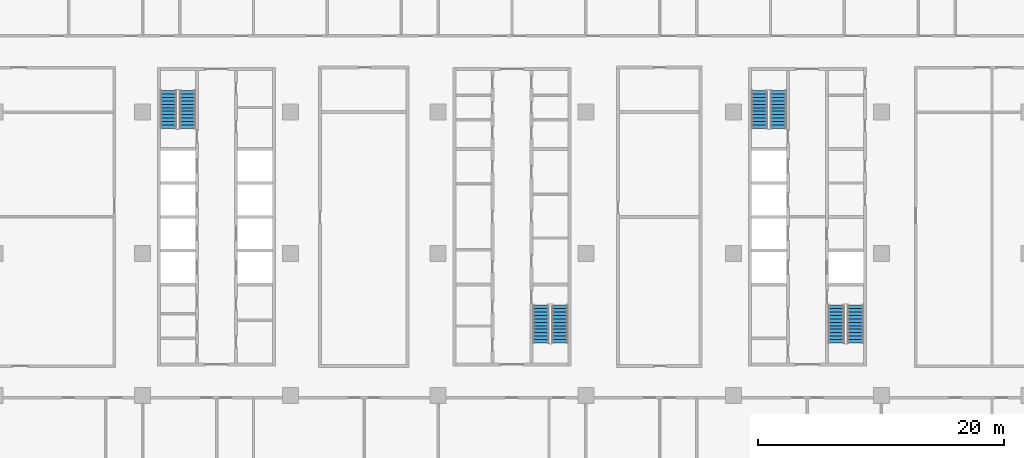
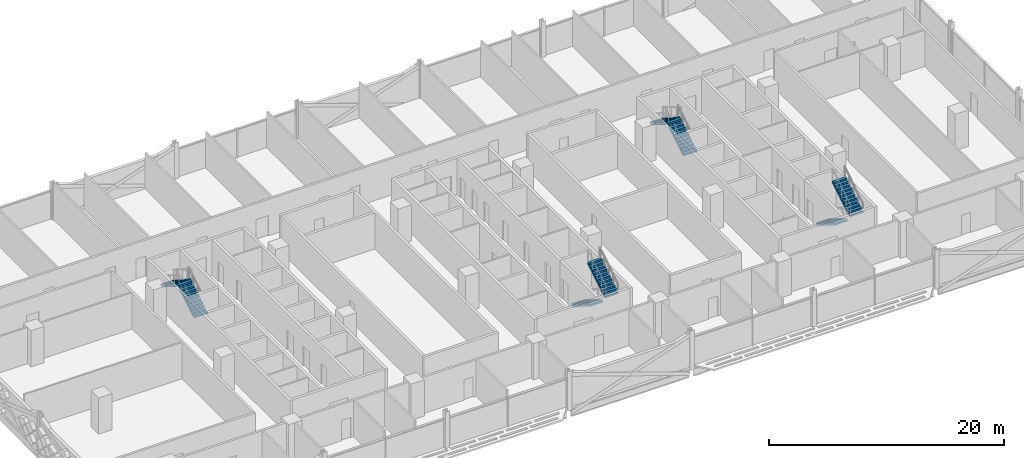
# One storey, part 19 of 29: 8 stair flights, 4 elements without a shape of their own.
"""IFC4 building model written with IfcOpenShell, lengths in metres."""

from ifc_helpers import new_model, si_unit, direction, frame, origin, place, context, subcontext, project, spatial, polyline, outline, extrude, material, type_object, element, aggregate, save


model = new_model("IFC4")

# Units and contexts
model_context = context("Model", 3, precision=1e-05, world=origin(), true_north=direction((0.0, 1.0)))
body_context = subcontext(model_context, "Body", "Model", "MODEL_VIEW")
ifc_project = project(units=[si_unit("LENGTHUNIT", "METRE"), si_unit("AREAUNIT", "SQUARE_METRE"), si_unit("VOLUMEUNIT", "CUBIC_METRE"), si_unit("PLANEANGLEUNIT", "RADIAN"), si_unit("MASSUNIT", "GRAM", prefix="KILO")], contexts=[model_context])

# Site, building, storey
site_placement = place(None, origin())
site = spatial("IfcSite", under=ifc_project, at=site_placement, CompositionType="ELEMENT")
building_placement = place(site_placement, origin())
building = spatial("IfcBuilding", under=site, at=building_placement, Name="Mahtab Terrace Research Tower", CompositionType="ELEMENT")
storey_placement = place(building_placement, frame((0.0, 0.0, 142.5)))
storey = spatial("IfcBuildingStorey", under=building, at=storey_placement, Name="L33", CompositionType="ELEMENT", Elevation=142.5)

# Stair, stair flights
ifc_material_1 = material(Name="Exit stair half-turn")
stair_type = type_object("IfcStairType", Name="Exit stair half-turn", PredefinedType="HALF_TURN_STAIR", material=ifc_material_1)
stair_1_placement = place(storey_placement, origin())
stair_1 = element("IfcStair", 1, at=stair_1_placement, inside=storey, type_object=stair_type, Name="L33 Protected exit stair ST1", PredefinedType="HALF_TURN_STAIR")
ifc_material_2 = material(Name="Concrete C40/50", Category="concrete")
stair_flight_type = type_object("IfcStairFlightType", Name="Exit stair flight 1300", PredefinedType="STRAIGHT", material=ifc_material_2)
stair_flight_1_placement = place(storey_placement, frame((-26.35009765625, 10.175048828125, 0.0), z_axis=(0.0, 0.0, 1.0), x_axis=(0.0, 1.0, 0.0)))
stair_flight_1 = element("IfcStairFlight", 2, at=stair_flight_1_placement, type_object=stair_flight_type, Name="ST1 flight 1", NumberOfRisers=12, NumberOfTreads=11, PredefinedType="STRAIGHT", RiserHeight=0.170833333, TreadLength=0.28, context=body_context, shape_type="SweptSolid", body=[
    extrude(outline(polyline([(0.0, 0.0), (0.0, 0.1708984375), (0.280029296875, 0.1708984375), (0.280029296875, 0.341552734375), (0.56005859375, 0.341552734375), (0.56005859375, 0.512451171875), (0.840087890625, 0.512451171875), (0.840087890625, 0.683349609375), (1.1201171875, 0.683349609375), (1.1201171875, 0.854248046875), (1.39990234375, 0.854248046875), (1.39990234375, 1.02490234375), (1.679931640625, 1.02490234375), (1.679931640625, 1.19580078125), (1.9599609375, 1.19580078125), (1.9599609375, 1.36669921875), (2.239990234375, 1.36669921875), (2.239990234375, 1.53759765625), (2.52001953125, 1.53759765625), (2.52001953125, 1.708251953125), (2.800048828125, 1.708251953125), (2.800048828125, 1.879150390625), (3.080078125, 1.879150390625), (3.080078125, 2.050048828125), (3.080078125, 1.70361328125), (0.287841796875, 0.0), (0.0, 0.0)])), frame((0.0, 0.64990234375, 0.0), z_axis=(0.0, -1.0, 0.0), x_axis=(1.0, 0.0, 0.0)), (0.0, 0.0, 1.0), 1.300048828125),
])
stair_flight_2_placement = place(storey_placement, frame((-27.89990234375, 13.2548828125, 2.050048828125), z_axis=(0.0, 0.0, 1.0), x_axis=(0.0, -1.0, 0.0)))
stair_flight_2 = element("IfcStairFlight", 3, at=stair_flight_2_placement, type_object=stair_flight_type, Name="ST1 flight 2", NumberOfRisers=12, NumberOfTreads=11, PredefinedType="STRAIGHT", RiserHeight=0.170833333, TreadLength=0.28, context=body_context, shape_type="SweptSolid", body=[
    extrude(outline(polyline([(0.0, 0.0), (0.0, 0.1708984375), (0.280029296875, 0.1708984375), (0.280029296875, 0.341552734375), (0.56005859375, 0.341552734375), (0.56005859375, 0.512451171875), (0.840087890625, 0.512451171875), (0.840087890625, 0.683349609375), (1.1201171875, 0.683349609375), (1.1201171875, 0.854248046875), (1.39990234375, 0.854248046875), (1.39990234375, 1.02490234375), (1.679931640625, 1.02490234375), (1.679931640625, 1.19580078125), (1.9599609375, 1.19580078125), (1.9599609375, 1.36669921875), (2.239990234375, 1.36669921875), (2.239990234375, 1.53759765625), (2.52001953125, 1.53759765625), (2.52001953125, 1.708251953125), (2.800048828125, 1.708251953125), (2.800048828125, 1.879150390625), (3.080078125, 1.879150390625), (3.080078125, 2.050048828125), (3.080078125, 1.70361328125), (0.287841796875, 0.0), (0.0, 0.0)])), frame((0.0, 0.64990234375, 0.0), z_axis=(0.0, -1.0, 0.0), x_axis=(1.0, 0.0, 0.0)), (0.0, 0.0, 1.0), 1.300048828125),
])
aggregate(stair_1, [stair_flight_1, stair_flight_2])

stair_2_placement = place(storey_placement, origin())
stair_2 = element("IfcStair", 4, at=stair_2_placement, inside=storey, type_object=stair_type, Name="L33 Protected exit stair ST2", PredefinedType="HALF_TURN_STAIR")
stair_flight_3_placement = place(storey_placement, frame((2.35009765625, -4.175048828125, 0.0), z_axis=(0.0, 0.0, 1.0), x_axis=(0.0, -1.0, 0.0)))
stair_flight_3 = element("IfcStairFlight", 5, at=stair_flight_3_placement, type_object=stair_flight_type, Name="ST2 flight 1", NumberOfRisers=12, NumberOfTreads=11, PredefinedType="STRAIGHT", RiserHeight=0.170833333, TreadLength=0.28, context=body_context, shape_type="SweptSolid", body=[
    extrude(outline(polyline([(0.0, 0.0), (0.0, 0.1708984375), (0.280029296875, 0.1708984375), (0.280029296875, 0.341552734375), (0.56005859375, 0.341552734375), (0.56005859375, 0.512451171875), (0.840087890625, 0.512451171875), (0.840087890625, 0.683349609375), (1.1201171875, 0.683349609375), (1.1201171875, 0.854248046875), (1.39990234375, 0.854248046875), (1.39990234375, 1.02490234375), (1.679931640625, 1.02490234375), (1.679931640625, 1.19580078125), (1.9599609375, 1.19580078125), (1.9599609375, 1.36669921875), (2.239990234375, 1.36669921875), (2.239990234375, 1.53759765625), (2.52001953125, 1.53759765625), (2.52001953125, 1.708251953125), (2.800048828125, 1.708251953125), (2.800048828125, 1.879150390625), (3.080078125, 1.879150390625), (3.080078125, 2.050048828125), (3.080078125, 1.70361328125), (0.287841796875, 0.0), (0.0, 0.0)])), frame((0.0, 0.64990234375, 0.0), z_axis=(0.0, -1.0, 0.0), x_axis=(1.0, 0.0, 0.0)), (0.0, 0.0, 1.0), 1.300048828125),
])
stair_flight_4_placement = place(storey_placement, frame((3.89990234375, -7.2548828125, 2.050048828125), z_axis=(0.0, 0.0, 1.0), x_axis=(0.0, 1.0, 0.0)))
stair_flight_4 = element("IfcStairFlight", 6, at=stair_flight_4_placement, type_object=stair_flight_type, Name="ST2 flight 2", NumberOfRisers=12, NumberOfTreads=11, PredefinedType="STRAIGHT", RiserHeight=0.170833333, TreadLength=0.28, context=body_context, shape_type="SweptSolid", body=[
    extrude(outline(polyline([(0.0, 0.0), (0.0, 0.1708984375), (0.280029296875, 0.1708984375), (0.280029296875, 0.341552734375), (0.56005859375, 0.341552734375), (0.56005859375, 0.512451171875), (0.840087890625, 0.512451171875), (0.840087890625, 0.683349609375), (1.1201171875, 0.683349609375), (1.1201171875, 0.854248046875), (1.39990234375, 0.854248046875), (1.39990234375, 1.02490234375), (1.679931640625, 1.02490234375), (1.679931640625, 1.19580078125), (1.9599609375, 1.19580078125), (1.9599609375, 1.36669921875), (2.239990234375, 1.36669921875), (2.239990234375, 1.53759765625), (2.52001953125, 1.53759765625), (2.52001953125, 1.708251953125), (2.800048828125, 1.708251953125), (2.800048828125, 1.879150390625), (3.080078125, 1.879150390625), (3.080078125, 2.050048828125), (3.080078125, 1.70361328125), (0.287841796875, 0.0), (0.0, 0.0)])), frame((0.0, 0.64990234375, 0.0), z_axis=(0.0, -1.0, 0.0), x_axis=(1.0, 0.0, 0.0)), (0.0, 0.0, 1.0), 1.300048828125),
])
aggregate(stair_2, [stair_flight_3, stair_flight_4])

stair_3_placement = place(storey_placement, origin())
stair_3 = element("IfcStair", 7, at=stair_3_placement, inside=storey, type_object=stair_type, Name="L33 Protected exit stair ST3", PredefinedType="HALF_TURN_STAIR")
stair_flight_5_placement = place(storey_placement, frame((21.64990234375, 10.175048828125, 0.0), z_axis=(0.0, 0.0, 1.0), x_axis=(0.0, 1.0, 0.0)))
stair_flight_5 = element("IfcStairFlight", 8, at=stair_flight_5_placement, type_object=stair_flight_type, Name="ST3 flight 1", NumberOfRisers=12, NumberOfTreads=11, PredefinedType="STRAIGHT", RiserHeight=0.170833333, TreadLength=0.28, context=body_context, shape_type="SweptSolid", body=[
    extrude(outline(polyline([(0.0, 0.0), (0.0, 0.1708984375), (0.280029296875, 0.1708984375), (0.280029296875, 0.341552734375), (0.56005859375, 0.341552734375), (0.56005859375, 0.512451171875), (0.840087890625, 0.512451171875), (0.840087890625, 0.683349609375), (1.1201171875, 0.683349609375), (1.1201171875, 0.854248046875), (1.39990234375, 0.854248046875), (1.39990234375, 1.02490234375), (1.679931640625, 1.02490234375), (1.679931640625, 1.19580078125), (1.9599609375, 1.19580078125), (1.9599609375, 1.36669921875), (2.239990234375, 1.36669921875), (2.239990234375, 1.53759765625), (2.52001953125, 1.53759765625), (2.52001953125, 1.708251953125), (2.800048828125, 1.708251953125), (2.800048828125, 1.879150390625), (3.080078125, 1.879150390625), (3.080078125, 2.050048828125), (3.080078125, 1.70361328125), (0.287841796875, 0.0), (0.0, 0.0)])), frame((0.0, 0.64990234375, 0.0), z_axis=(0.0, -1.0, 0.0), x_axis=(1.0, 0.0, 0.0)), (0.0, 0.0, 1.0), 1.300048828125),
])
stair_flight_6_placement = place(storey_placement, frame((20.10009765625, 13.2548828125, 2.050048828125), z_axis=(0.0, 0.0, 1.0), x_axis=(0.0, -1.0, 0.0)))
stair_flight_6 = element("IfcStairFlight", 9, at=stair_flight_6_placement, type_object=stair_flight_type, Name="ST3 flight 2", NumberOfRisers=12, NumberOfTreads=11, PredefinedType="STRAIGHT", RiserHeight=0.170833333, TreadLength=0.28, context=body_context, shape_type="SweptSolid", body=[
    extrude(outline(polyline([(0.0, 0.0), (0.0, 0.1708984375), (0.280029296875, 0.1708984375), (0.280029296875, 0.341552734375), (0.56005859375, 0.341552734375), (0.56005859375, 0.512451171875), (0.840087890625, 0.512451171875), (0.840087890625, 0.683349609375), (1.1201171875, 0.683349609375), (1.1201171875, 0.854248046875), (1.39990234375, 0.854248046875), (1.39990234375, 1.02490234375), (1.679931640625, 1.02490234375), (1.679931640625, 1.19580078125), (1.9599609375, 1.19580078125), (1.9599609375, 1.36669921875), (2.239990234375, 1.36669921875), (2.239990234375, 1.53759765625), (2.52001953125, 1.53759765625), (2.52001953125, 1.708251953125), (2.800048828125, 1.708251953125), (2.800048828125, 1.879150390625), (3.080078125, 1.879150390625), (3.080078125, 2.050048828125), (3.080078125, 1.70361328125), (0.287841796875, 0.0), (0.0, 0.0)])), frame((0.0, 0.64990234375, 0.0), z_axis=(0.0, -1.0, 0.0), x_axis=(1.0, 0.0, 0.0)), (0.0, 0.0, 1.0), 1.300048828125),
])
aggregate(stair_3, [stair_flight_5, stair_flight_6])

stair_4_placement = place(storey_placement, origin())
stair_4 = element("IfcStair", 10, at=stair_4_placement, inside=storey, type_object=stair_type, Name="L33 Protected exit stair ST4", PredefinedType="HALF_TURN_STAIR")
stair_flight_7_placement = place(storey_placement, frame((26.35009765625, -4.175048828125, 0.0), z_axis=(0.0, 0.0, 1.0), x_axis=(0.0, -1.0, 0.0)))
stair_flight_7 = element("IfcStairFlight", 11, at=stair_flight_7_placement, type_object=stair_flight_type, Name="ST4 flight 1", NumberOfRisers=12, NumberOfTreads=11, PredefinedType="STRAIGHT", RiserHeight=0.170833333, TreadLength=0.28, context=body_context, shape_type="SweptSolid", body=[
    extrude(outline(polyline([(0.0, 0.0), (0.0, 0.1708984375), (0.280029296875, 0.1708984375), (0.280029296875, 0.341552734375), (0.56005859375, 0.341552734375), (0.56005859375, 0.512451171875), (0.840087890625, 0.512451171875), (0.840087890625, 0.683349609375), (1.1201171875, 0.683349609375), (1.1201171875, 0.854248046875), (1.39990234375, 0.854248046875), (1.39990234375, 1.02490234375), (1.679931640625, 1.02490234375), (1.679931640625, 1.19580078125), (1.9599609375, 1.19580078125), (1.9599609375, 1.36669921875), (2.239990234375, 1.36669921875), (2.239990234375, 1.53759765625), (2.52001953125, 1.53759765625), (2.52001953125, 1.708251953125), (2.800048828125, 1.708251953125), (2.800048828125, 1.879150390625), (3.080078125, 1.879150390625), (3.080078125, 2.050048828125), (3.080078125, 1.70361328125), (0.287841796875, 0.0), (0.0, 0.0)])), frame((0.0, 0.64990234375, 0.0), z_axis=(0.0, -1.0, 0.0), x_axis=(1.0, 0.0, 0.0)), (0.0, 0.0, 1.0), 1.300048828125),
])
stair_flight_8_placement = place(storey_placement, frame((27.89990234375, -7.2548828125, 2.050048828125), z_axis=(0.0, 0.0, 1.0), x_axis=(0.0, 1.0, 0.0)))
stair_flight_8 = element("IfcStairFlight", 12, at=stair_flight_8_placement, type_object=stair_flight_type, Name="ST4 flight 2", NumberOfRisers=12, NumberOfTreads=11, PredefinedType="STRAIGHT", RiserHeight=0.170833333, TreadLength=0.28, context=body_context, shape_type="SweptSolid", body=[
    extrude(outline(polyline([(0.0, 0.0), (0.0, 0.1708984375), (0.280029296875, 0.1708984375), (0.280029296875, 0.341552734375), (0.56005859375, 0.341552734375), (0.56005859375, 0.512451171875), (0.840087890625, 0.512451171875), (0.840087890625, 0.683349609375), (1.1201171875, 0.683349609375), (1.1201171875, 0.854248046875), (1.39990234375, 0.854248046875), (1.39990234375, 1.02490234375), (1.679931640625, 1.02490234375), (1.679931640625, 1.19580078125), (1.9599609375, 1.19580078125), (1.9599609375, 1.36669921875), (2.239990234375, 1.36669921875), (2.239990234375, 1.53759765625), (2.52001953125, 1.53759765625), (2.52001953125, 1.708251953125), (2.800048828125, 1.708251953125), (2.800048828125, 1.879150390625), (3.080078125, 1.879150390625), (3.080078125, 2.050048828125), (3.080078125, 1.70361328125), (0.287841796875, 0.0), (0.0, 0.0)])), frame((0.0, 0.64990234375, 0.0), z_axis=(0.0, -1.0, 0.0), x_axis=(1.0, 0.0, 0.0)), (0.0, 0.0, 1.0), 1.300048828125),
])
aggregate(stair_4, [stair_flight_7, stair_flight_8])

save(model, "model.ifc")
